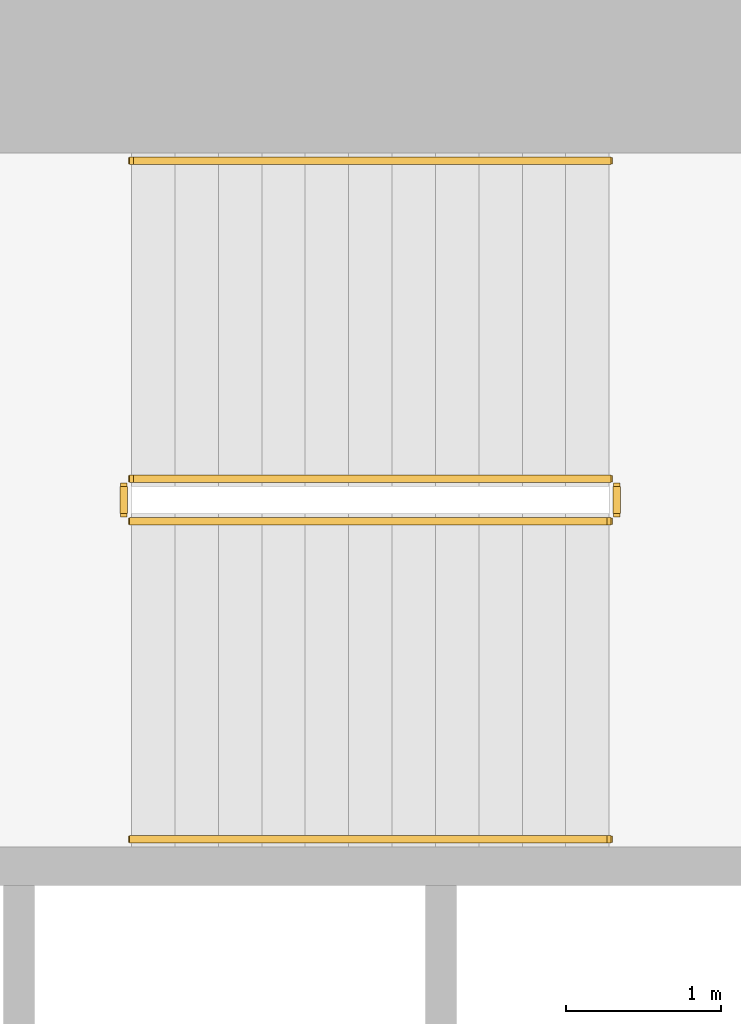
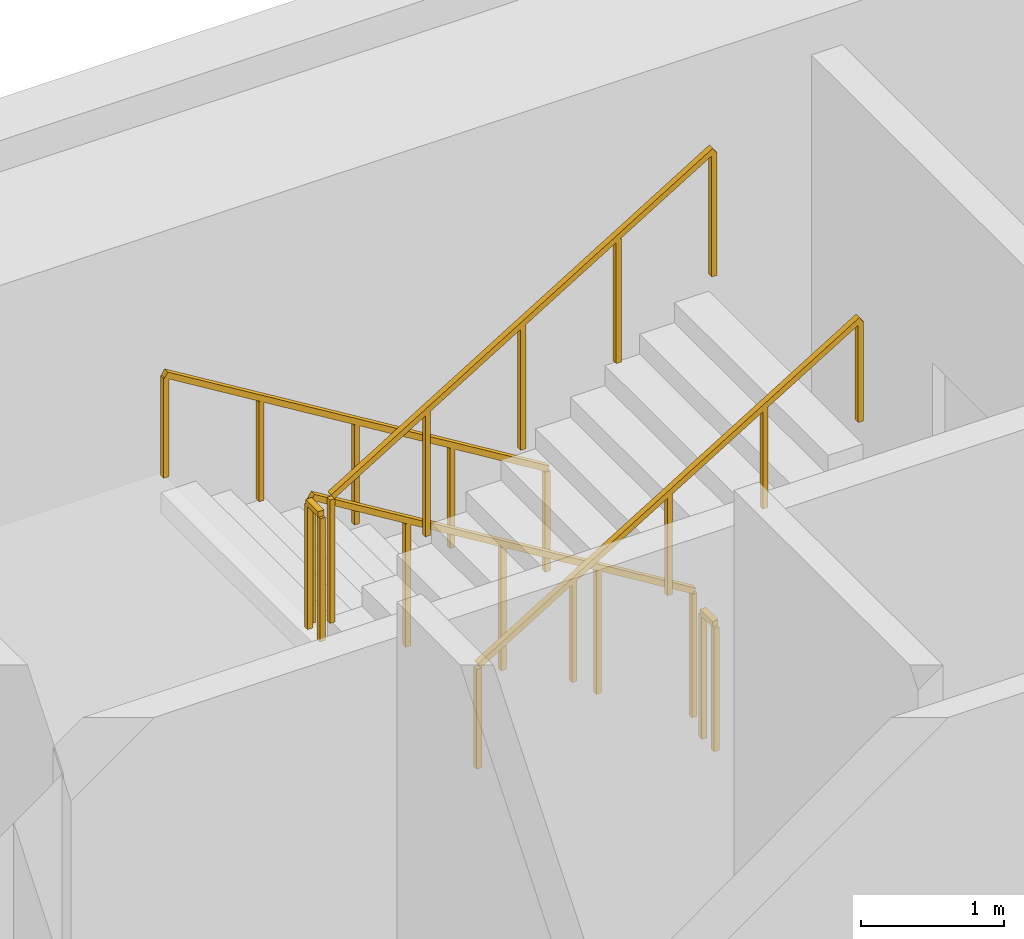
# One storey, part 13 of 15: 6 railings.
"""IFC4 building model written with IfcOpenShell, lengths in metres."""

from ifc_helpers import new_model, si_unit, direction, frame, origin, origin_2d, place, context, subcontext, project, spatial, rectangle, extrude, material, type_object, element, save


model = new_model("IFC4")

# Units and contexts
model_context = context("Model", 3, precision=1e-05, world=origin(), true_north=direction((0.0, 1.0)))
body_context = subcontext(model_context, "Body", "Model", "MODEL_VIEW")
ifc_project = project(units=[si_unit("LENGTHUNIT", "METRE"), si_unit("AREAUNIT", "SQUARE_METRE"), si_unit("VOLUMEUNIT", "CUBIC_METRE"), si_unit("PLANEANGLEUNIT", "RADIAN"), si_unit("MASSUNIT", "GRAM", prefix="KILO")], contexts=[model_context])

# Site, building, storey
site_placement = place(None, origin())
site = spatial("IfcSite", under=ifc_project, at=site_placement, CompositionType="ELEMENT")
building_placement = place(site_placement, origin())
building = spatial("IfcBuilding", under=site, at=building_placement, Name="Cypress Arch Tower", CompositionType="ELEMENT")
storey_placement = place(building_placement, frame((0.0, 0.0, 164.60009765625)))
storey = spatial("IfcBuildingStorey", under=building, at=storey_placement, Name="L35", CompositionType="ELEMENT", Elevation=164.60009765625)

# Railings
ifc_material_1 = material(Name="Black powder-coated steel square bar 48 mm", Category="steel")
railing_type_1 = type_object("IfcRailingType", Name="Stair handrail HR1", PredefinedType="HANDRAIL", material=ifc_material_1)
railing_1_placement = place(storey_placement, frame((-22.27490234375, 14.75, 0.170654296875)))
element("IfcRailing", 1, at=railing_1_placement, inside=storey, type_object=railing_type_1, Name="L35 B stair handrail 1", PredefinedType="HANDRAIL", context=body_context, shape_type="SweptSolid", body=[
    extrude(rectangle(XDim=0.048095703125, YDim=0.048095703125, at=origin_2d()), frame((0.0, 0.0, 0.8759765625), z_axis=(-0.853666305674, 0.0, 0.52082035152), x_axis=(0.0, -1.0, 0.0)), (0.0, 0.0, 1.0), 3.608154296875),
    extrude(rectangle(XDim=0.0419921875, YDim=0.0419921875, at=origin_2d()), origin(), (0.0, 0.0, 1.0), 0.851806640625),
    extrude(rectangle(XDim=0.0419921875, YDim=0.0419921875, at=origin_2d()), frame((-0.77001953125, 0.0, 0.4697265625)), (0.0, 0.0, 1.0), 0.851806640625),
    extrude(rectangle(XDim=0.0419921875, YDim=0.0419921875, at=origin_2d()), frame((-1.5400390625, 0.0, 0.939453125)), (0.0, 0.0, 1.0), 0.851806640625),
    extrude(rectangle(XDim=0.0419921875, YDim=0.0419921875, at=origin_2d()), frame((-2.31005859375, 0.0, 1.409423828125)), (0.0, 0.0, 1.0), 0.851806640625),
    extrude(rectangle(XDim=0.0419921875, YDim=0.0419921875, at=origin_2d()), frame((-3.080078125, 0.0, 1.879150390625)), (0.0, 0.0, 1.0), 0.851806640625),
])
railing_2_placement = place(storey_placement, frame((-25.35498046875, 10.375, 2.220703125)))
element("IfcRailing", 2, at=railing_2_placement, inside=storey, type_object=railing_type_1, Name="L35 B stair handrail 2", PredefinedType="HANDRAIL", context=body_context, shape_type="SweptSolid", body=[
    extrude(rectangle(XDim=0.048095703125, YDim=0.048095703125, at=origin_2d()), frame((0.0, 0.0, 0.8759765625), z_axis=(0.853666305674, 0.0, 0.52082035152), x_axis=(0.0, 1.0, 0.0)), (0.0, 0.0, 1.0), 3.608154296875),
    extrude(rectangle(XDim=0.0419921875, YDim=0.0419921875, at=origin_2d()), origin(), (0.0, 0.0, 1.0), 0.851806640625),
    extrude(rectangle(XDim=0.0419921875, YDim=0.0419921875, at=origin_2d()), frame((0.77001953125, 0.0, 0.4697265625)), (0.0, 0.0, 1.0), 0.851806640625),
    extrude(rectangle(XDim=0.0419921875, YDim=0.0419921875, at=origin_2d()), frame((1.5400390625, 0.0, 0.939453125)), (0.0, 0.0, 1.0), 0.851806640625),
    extrude(rectangle(XDim=0.0419921875, YDim=0.0419921875, at=origin_2d()), frame((2.31005859375, 0.0, 1.409423828125)), (0.0, 0.0, 1.0), 0.851806640625),
    extrude(rectangle(XDim=0.0419921875, YDim=0.0419921875, at=origin_2d()), frame((3.080078125, 0.0, 1.879150390625)), (0.0, 0.0, 1.0), 0.851806640625),
])
ifc_material_2 = material(Name="Black powder-coated steel balusters", Category="steel")
railing_type_2 = type_object("IfcRailingType", Name="Stair well guard G1", PredefinedType="GUARDRAIL", material=ifc_material_2)
railing_3_placement = place(storey_placement, frame((-22.27490234375, 12.699951171875, 0.170654296875)))
element("IfcRailing", 3, at=railing_3_placement, inside=storey, type_object=railing_type_2, Name="L35 B stair guard 1", PredefinedType="GUARDRAIL", context=body_context, shape_type="SweptSolid", body=[
    extrude(rectangle(XDim=0.048095703125, YDim=0.048095703125, at=origin_2d()), frame((0.0, 0.0, 1.076171875), z_axis=(-0.853666305674, 0.0, 0.52082035152), x_axis=(0.0, -1.0, 0.0)), (0.0, 0.0, 1.0), 3.608154296875),
    extrude(rectangle(XDim=0.0419921875, YDim=0.0419921875, at=origin_2d()), origin(), (0.0, 0.0, 1.0), 1.052001953125),
    extrude(rectangle(XDim=0.0419921875, YDim=0.0419921875, at=origin_2d()), frame((-0.77001953125, 0.0, 0.4697265625)), (0.0, 0.0, 1.0), 1.052001953125),
    extrude(rectangle(XDim=0.0419921875, YDim=0.0419921875, at=origin_2d()), frame((-1.5400390625, 0.0, 0.939453125)), (0.0, 0.0, 1.0), 1.052001953125),
    extrude(rectangle(XDim=0.0419921875, YDim=0.0419921875, at=origin_2d()), frame((-2.31005859375, 0.0, 1.409423828125)), (0.0, 0.0, 1.0), 1.052001953125),
    extrude(rectangle(XDim=0.0419921875, YDim=0.0419921875, at=origin_2d()), frame((-3.080078125, 0.0, 1.879150390625)), (0.0, 0.0, 1.0), 1.052001953125),
])
railing_4_placement = place(storey_placement, frame((-25.405029296875, 12.64990234375, 2.0498046875)))
element("IfcRailing", 4, at=railing_4_placement, inside=storey, type_object=railing_type_2, Name="L35 B stair guard 2", PredefinedType="GUARDRAIL", context=body_context, shape_type="SweptSolid", body=[
    extrude(rectangle(XDim=0.048095703125, YDim=0.048095703125, at=origin_2d()), frame((0.0, 0.0, 1.076171875), z_axis=(0.0, -1.0, 0.0), x_axis=(1.0, 0.0, 0.0)), (0.0, 0.0, 1.0), 0.1748046875),
    extrude(rectangle(XDim=0.0419921875, YDim=0.0419921875, at=origin_2d()), origin(), (0.0, 0.0, 1.0), 1.052001953125),
    extrude(rectangle(XDim=0.0419921875, YDim=0.0419921875, at=origin_2d()), frame((0.0, -0.1748046875, 0.0)), (0.0, 0.0, 1.0), 1.052001953125),
])
railing_5_placement = place(storey_placement, frame((-25.35498046875, 12.425048828125, 2.220703125)))
element("IfcRailing", 5, at=railing_5_placement, inside=storey, type_object=railing_type_2, Name="L35 B stair guard 3", PredefinedType="GUARDRAIL", context=body_context, shape_type="SweptSolid", body=[
    extrude(rectangle(XDim=0.048095703125, YDim=0.048095703125, at=origin_2d()), frame((0.0, 0.0, 1.076171875), z_axis=(0.853666305674, 0.0, 0.52082035152), x_axis=(0.0, 1.0, 0.0)), (0.0, 0.0, 1.0), 3.608154296875),
    extrude(rectangle(XDim=0.0419921875, YDim=0.0419921875, at=origin_2d()), origin(), (0.0, 0.0, 1.0), 1.052001953125),
    extrude(rectangle(XDim=0.0419921875, YDim=0.0419921875, at=origin_2d()), frame((0.77001953125, 0.0, 0.4697265625)), (0.0, 0.0, 1.0), 1.052001953125),
    extrude(rectangle(XDim=0.0419921875, YDim=0.0419921875, at=origin_2d()), frame((1.5400390625, 0.0, 0.939453125)), (0.0, 0.0, 1.0), 1.052001953125),
    extrude(rectangle(XDim=0.0419921875, YDim=0.0419921875, at=origin_2d()), frame((2.31005859375, 0.0, 1.409423828125)), (0.0, 0.0, 1.0), 1.052001953125),
    extrude(rectangle(XDim=0.0419921875, YDim=0.0419921875, at=origin_2d()), frame((3.080078125, 0.0, 1.879150390625)), (0.0, 0.0, 1.0), 1.052001953125),
])
railing_6_placement = place(storey_placement, frame((-22.22509765625, 12.64990234375, 0.0)))
element("IfcRailing", 6, at=railing_6_placement, inside=storey, type_object=railing_type_2, Name="L35 B stair guard 4", PredefinedType="GUARDRAIL", context=body_context, shape_type="SweptSolid", body=[
    extrude(rectangle(XDim=0.048095703125, YDim=0.048095703125, at=origin_2d()), frame((0.0, 0.0, 1.076171875), z_axis=(0.0, -1.0, 0.0), x_axis=(1.0, 0.0, 0.0)), (0.0, 0.0, 1.0), 0.1748046875),
    extrude(rectangle(XDim=0.0419921875, YDim=0.0419921875, at=origin_2d()), origin(), (0.0, 0.0, 1.0), 1.052001953125),
    extrude(rectangle(XDim=0.0419921875, YDim=0.0419921875, at=origin_2d()), frame((0.0, -0.1748046875, 0.0)), (0.0, 0.0, 1.0), 1.052001953125),
])

save(model, "model.ifc")
